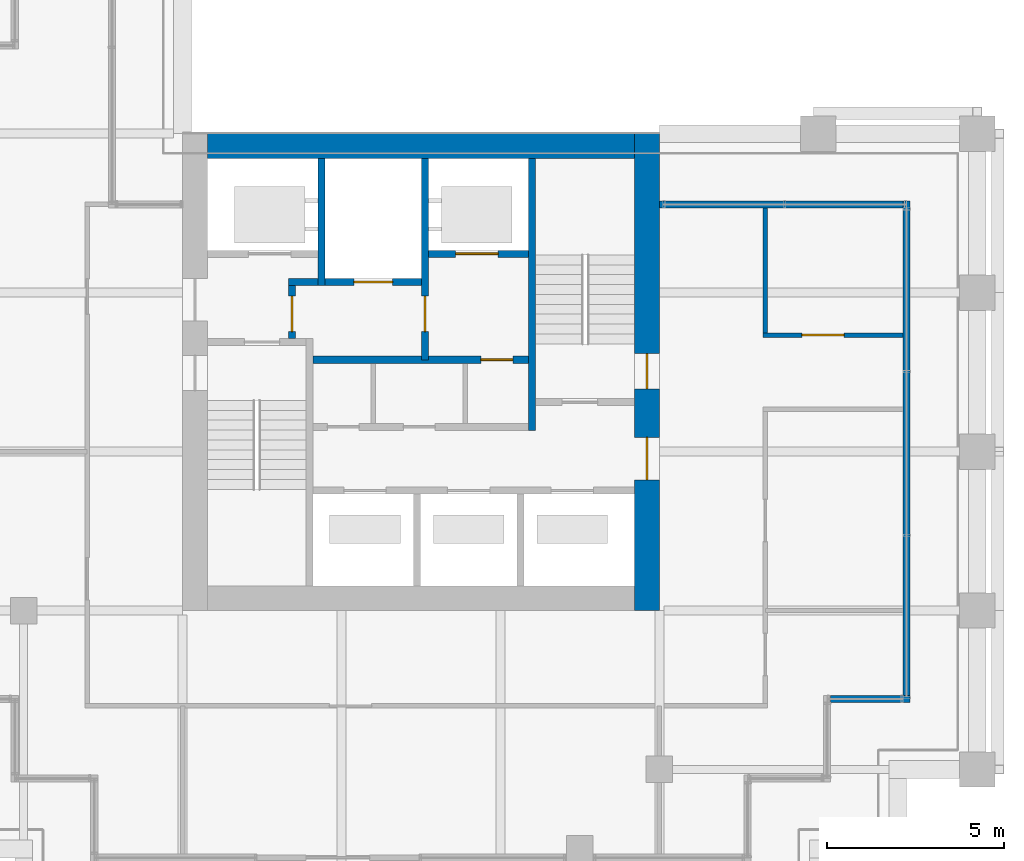
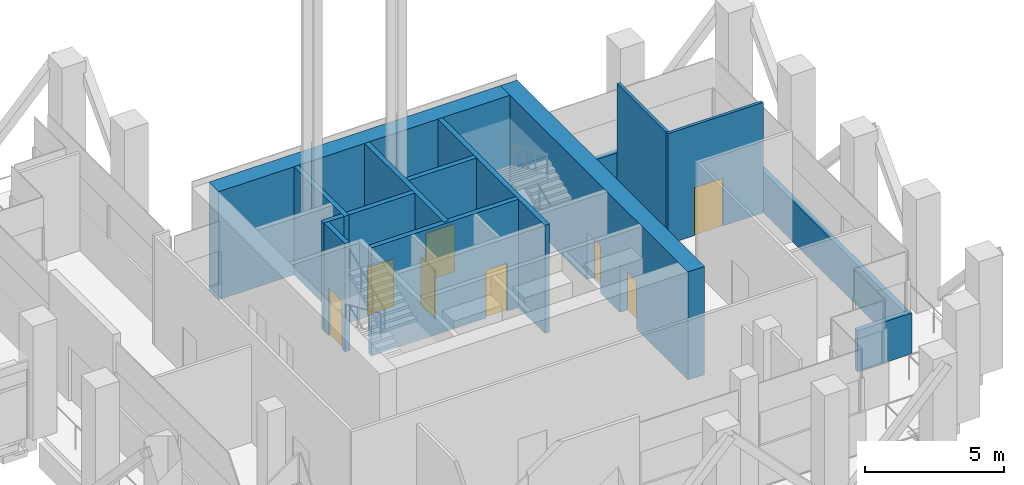
# One storey, part 36 of 48: 15 walls, 8 doors, 8 openings.
"""IFC4 building model written with IfcOpenShell, lengths in metres."""

from ifc_helpers import new_model, si_unit, direction, frame, frame_2d, origin, place, context, subcontext, project, spatial, rectangle, extrude, material, layer, layer_set, type_object, element, fill, save


model = new_model("IFC4")

# Units and contexts
model_context = context("Model", 3, precision=1e-05, world=origin(), true_north=direction((0.0, 1.0)))
body_context = subcontext(model_context, "Body", "Model", "MODEL_VIEW")
ifc_project = project(units=[si_unit("LENGTHUNIT", "METRE"), si_unit("AREAUNIT", "SQUARE_METRE"), si_unit("VOLUMEUNIT", "CUBIC_METRE"), si_unit("PLANEANGLEUNIT", "RADIAN"), si_unit("MASSUNIT", "GRAM", prefix="KILO")], contexts=[model_context])

# Site, building, storey
site_placement = place(None, origin())
site = spatial("IfcSite", under=ifc_project, at=site_placement, CompositionType="ELEMENT")
building_placement = place(site_placement, origin())
building = spatial("IfcBuilding", under=site, at=building_placement, Name="Altepetl Exchange Towers", CompositionType="ELEMENT")
storey_placement = place(building_placement, frame((0.0, 0.0, 138.800048828125)))
storey = spatial("IfcBuildingStorey", under=building, at=storey_placement, Name="L34 Refuge and sky lobby", CompositionType="ELEMENT", Elevation=138.800048828125)

# Wall, openings, doors
ifc_material_1 = material(Name="Concrete C70/85", Category="concrete")
ifc_layer_1 = layer(ifc_material_1, 0.699951171875)
ifc_layer_set_1 = layer_set([ifc_layer_1], Name="Concrete C70/85")
wall_type_1 = type_object("IfcWallType", Name="Core wall 700 reinforced concrete", PredefinedType="SHEAR", material=ifc_layer_set_1)
wall_1_placement = place(storey_placement, frame((116.64990234375, 36.0, 0.0), z_axis=(0.0, 0.0, 1.0), x_axis=(0.0, 1.0, 0.0)))
wall_1 = element("IfcWall", 1, at=wall_1_placement, inside=storey, type_object=wall_type_1, Name="wall:B:L34:K-coreE", PredefinedType="SHEAR", context=body_context, shape_type="SweptSolid", body=[
    extrude(rectangle(XDim=13.5, YDim=0.699951171875, at=frame_2d((6.75, 0.0))), origin(), (0.0, 0.0, 1.0), 4.75),
])
opening_1_placement = place(wall_1_placement, frame((3.699951171875, 0.0, 0.0)))
opening_1 = element("IfcOpeningElement", 2, at=opening_1_placement, cuts=wall_1, Name="Opening L34.B61", PredefinedType="OPENING", context=body_context, shape_type="SweptSolid", body=[
    extrude(rectangle(XDim=1.199951171875, YDim=2.10009765625, at=frame_2d((0.60009765625, 1.050048828125))), frame((0.0, 0.35986328125, 0.0), z_axis=(0.0, -1.0, 0.0), x_axis=(1.0, 0.0, 0.0)), (0.0, 0.0, 1.0), 0.719970703125),
])
opening_2_placement = place(wall_1_placement, frame((6.27490234375, 0.0, 0.0)))
opening_2 = element("IfcOpeningElement", 3, at=opening_2_placement, cuts=wall_1, Name="Opening L34.B65", PredefinedType="OPENING", context=body_context, shape_type="SweptSolid", body=[
    extrude(rectangle(XDim=1.0, YDim=2.10009765625, at=frame_2d((0.5, 1.050048828125))), frame((0.0, 0.35986328125, 0.0), z_axis=(0.0, -1.0, 0.0), x_axis=(1.0, 0.0, 0.0)), (0.0, 0.0, 1.0), 0.719970703125),
])
ifc_material_2 = material(Name="Steel and timber fire door", Category="steel")
door_type_1 = type_object("IfcDoorType", Name="Fire door 1000 x 2100 stair and lobby", OperationType="SINGLE_SWING_LEFT", PredefinedType="DOOR", material=ifc_material_2)
door_1_placement = place(opening_2_placement, origin())
door_1 = element("IfcDoor", 4, at=door_1_placement, inside=storey, type_object=door_type_1, Name="door:B:L34:K-dS2x", OperationType="SINGLE_SWING_LEFT", OverallHeight=2.10009765625, OverallWidth=1.0, PredefinedType="DOOR", context=body_context, shape_type="SweptSolid", body=[
    extrude(rectangle(XDim=1.0, YDim=2.10009765625, at=frame_2d((0.5, 1.050048828125))), frame((0.0, 0.02490234375, 0.0), z_axis=(0.0, -1.0, 0.0), x_axis=(1.0, 0.0, 0.0)), (0.0, 0.0, 1.0), 0.050048828125),
])
fill(opening_2, door_1)
door_type_2 = type_object("IfcDoorType", Name="Fire door 1200 x 2100 lobby entry", OperationType="SINGLE_SWING_LEFT", PredefinedType="DOOR", material=ifc_material_2)
door_2_placement = place(opening_1_placement, origin())
door_2 = element("IfcDoor", 5, at=door_2_placement, inside=storey, type_object=door_type_2, Name="door:B:L34:K-dLSE", OperationType="SINGLE_SWING_RIGHT", OverallHeight=2.10009765625, OverallWidth=1.199951171875, PredefinedType="DOOR", context=body_context, shape_type="SweptSolid", body=[
    extrude(rectangle(XDim=1.199951171875, YDim=2.10009765625, at=frame_2d((0.60009765625, 1.050048828125))), frame((0.0, 0.02490234375, 0.0), z_axis=(0.0, -1.0, 0.0), x_axis=(1.0, 0.0, 0.0)), (0.0, 0.0, 1.0), 0.050048828125),
])
fill(opening_1, door_2)

# Walls
ifc_layer_2 = layer(ifc_material_1, 0.699951171875)
ifc_layer_set_2 = layer_set([ifc_layer_2], Name="Concrete C70/85")
wall_type_2 = type_object("IfcWallType", Name="Core wall 700 reinforced concrete external", PredefinedType="SHEAR", material=ifc_layer_set_2)
wall_2_placement = place(storey_placement, frame((104.199951171875, 49.14990234375, 0.0)))
element("IfcWall", 6, at=wall_2_placement, inside=storey, type_object=wall_type_2, Name="wall:B:L34:K-coreN", PredefinedType="SHEAR", context=body_context, shape_type="SweptSolid", body=[
    extrude(rectangle(XDim=12.10009765625, YDim=0.699951171875, at=frame_2d((6.050048828125, 0.0))), origin(), (0.0, 0.0, 1.0), 4.75),
])
ifc_material_3 = material(Name="Concrete blockwork", Category="masonry")
ifc_layer_3 = layer(ifc_material_3, 0.199951171875)
ifc_layer_set_3 = layer_set([ifc_layer_3], Name="Concrete blockwork")
wall_type_3 = type_object("IfcWallType", Name="Lobby wall 200 blockwork", PredefinedType="PARTITIONING", material=ifc_layer_set_3)
wall_3_placement = place(storey_placement, frame((106.5, 45.300048828125, 0.0)))
element("IfcWall", 7, at=wall_3_placement, inside=storey, type_object=wall_type_3, Name="wall:B:L34:K-ffNw", PredefinedType="PARTITIONING", context=body_context, shape_type="SweptSolid", body=[
    extrude(rectangle(XDim=0.833251953125, YDim=0.199951171875, at=frame_2d((0.41650390625, 0.0))), origin(), (0.0, 0.0, 1.0), 4.75),
])

# Wall, opening, door
wall_4_placement = place(storey_placement, frame((106.60009765625, 43.699951171875, 0.0), z_axis=(0.0, 0.0, 1.0), x_axis=(0.0, 1.0, 0.0)))
wall_4 = element("IfcWall", 8, at=wall_4_placement, inside=storey, type_object=wall_type_3, Name="wall:B:L34:K-ffW", PredefinedType="PARTITIONING", context=body_context, shape_type="SweptSolid", body=[
    extrude(rectangle(XDim=1.5, YDim=0.199951171875, at=frame_2d((0.75, 0.0))), origin(), (0.0, 0.0, 1.0), 4.75),
])
opening_3_placement = place(wall_4_placement, frame((0.199951171875, 0.0, 0.0)))
opening_3 = element("IfcOpeningElement", 9, at=opening_3_placement, cuts=wall_4, Name="Opening L34.B67", PredefinedType="OPENING", context=body_context, shape_type="SweptSolid", body=[
    extrude(rectangle(XDim=1.0, YDim=2.10009765625, at=frame_2d((0.5, 1.050048828125))), frame((0.0, 0.10986328125, 0.0), z_axis=(0.0, -1.0, 0.0), x_axis=(1.0, 0.0, 0.0)), (0.0, 0.0, 1.0), 0.219970703125),
])
door_3_placement = place(opening_3_placement, frame((1.0, 0.0, 0.0), x_axis=(-1.0, 0.0, 0.0)))
door_3 = element("IfcDoor", 10, at=door_3_placement, inside=storey, type_object=door_type_1, Name="door:B:L34:K-dffW", OperationType="SINGLE_SWING_LEFT", OverallHeight=2.10009765625, OverallWidth=1.0, PredefinedType="DOOR", context=body_context, shape_type="SweptSolid", body=[
    extrude(rectangle(XDim=1.0, YDim=2.10009765625, at=frame_2d((0.5, 1.050048828125))), frame((0.0, 0.02490234375, 0.0), z_axis=(0.0, -1.0, 0.0), x_axis=(1.0, 0.0, 0.0)), (0.0, 0.0, 1.0), 0.050048828125),
])
fill(opening_3, door_3)

wall_5_placement = place(storey_placement, frame((107.199951171875, 43.10009765625, 0.0)))
wall_5 = element("IfcWall", 11, at=wall_5_placement, inside=storey, type_object=wall_type_3, Name="wall:B:L34:K-zoneN", PredefinedType="PARTITIONING", context=body_context, shape_type="SweptSolid", body=[
    extrude(rectangle(XDim=6.10009765625, YDim=0.199951171875, at=frame_2d((3.050048828125, 0.0))), origin(), (0.0, 0.0, 1.0), 4.75),
])
opening_4_placement = place(wall_5_placement, frame((4.75, 0.0, 0.0)))
opening_4 = element("IfcOpeningElement", 12, at=opening_4_placement, cuts=wall_5, Name="Opening L34.B70", PredefinedType="OPENING", context=body_context, shape_type="SweptSolid", body=[
    extrude(rectangle(XDim=0.89990234375, YDim=2.10009765625, at=frame_2d((0.449951171875, 1.050048828125))), frame((0.0, 0.10986328125, 0.0), z_axis=(0.0, -1.0, 0.0), x_axis=(1.0, 0.0, 0.0)), (0.0, 0.0, 1.0), 0.219970703125),
])
door_type_3 = type_object("IfcDoorType", Name="Fire door 900 x 2100 service room", OperationType="SINGLE_SWING_LEFT", PredefinedType="DOOR", material=ifc_material_2)
door_4_placement = place(opening_4_placement, frame((0.89990234375, 0.0, 0.0), x_axis=(-1.0, 0.0, 0.0)))
door_4 = element("IfcDoor", 13, at=door_4_placement, inside=storey, type_object=door_type_3, Name="door:B:L34:K-dz3", OperationType="SINGLE_SWING_RIGHT", OverallHeight=2.10009765625, OverallWidth=0.89990234375, PredefinedType="DOOR", context=body_context, shape_type="SweptSolid", body=[
    extrude(rectangle(XDim=0.89990234375, YDim=2.10009765625, at=frame_2d((0.449951171875, 1.050048828125))), frame((0.0, 0.02490234375, 0.0), z_axis=(0.0, -1.0, 0.0), x_axis=(1.0, 0.0, 0.0)), (0.0, 0.0, 1.0), 0.050048828125),
])
fill(opening_4, door_4)

ifc_material_4 = material(Name="Gypsum board on steel studs", Category="steel")
ifc_layer_4 = layer(ifc_material_4, 0.125)
ifc_layer_set_4 = layer_set([ifc_layer_4], Name="Gypsum board on steel studs")
wall_type_4 = type_object("IfcWallType", Name="Partition 125 gypsum board on steel studs", PredefinedType="PARTITIONING", material=ifc_layer_set_4)
wall_6_placement = place(storey_placement, frame((119.9375, 43.800048828125, 0.0)))
wall_6 = element("IfcWall", 14, at=wall_6_placement, inside=storey, type_object=wall_type_4, Name="wall:B:L34:P05", PredefinedType="PARTITIONING", context=body_context, shape_type="SweptSolid", body=[
    extrude(rectangle(XDim=3.96240234375, YDim=0.125, at=frame_2d((1.981201171875, 0.0))), origin(), (0.0, 0.0, 1.0), 4.849853515625),
])
opening_5_placement = place(wall_6_placement, frame((1.097412109375, 0.0, 0.0)))
opening_5 = element("IfcOpeningElement", 15, at=opening_5_placement, cuts=wall_6, Name="Opening L34.B05", PredefinedType="OPENING", context=body_context, shape_type="SweptSolid", body=[
    extrude(rectangle(XDim=1.199951171875, YDim=2.10009765625, at=frame_2d((0.60009765625, 1.050048828125))), frame((0.0, 0.072509765625, 0.0), z_axis=(0.0, -1.0, 0.0), x_axis=(1.0, 0.0, 0.0)), (0.0, 0.0, 1.0), 0.14501953125),
])
door_type_4 = type_object("IfcDoorType", Name="Fire door 1200 x 2100 plant and refuge", OperationType="SINGLE_SWING_LEFT", PredefinedType="DOOR", material=ifc_material_2)
door_5_placement = place(opening_5_placement, origin())
door_5 = element("IfcDoor", 16, at=door_5_placement, inside=storey, type_object=door_type_4, Name="door:B:L34:05", OperationType="SINGLE_SWING_RIGHT", OverallHeight=2.10009765625, OverallWidth=1.199951171875, PredefinedType="DOOR", context=body_context, shape_type="SweptSolid", body=[
    extrude(rectangle(XDim=1.199951171875, YDim=2.10009765625, at=frame_2d((0.60009765625, 1.050048828125))), frame((0.0, 0.02490234375, 0.0), z_axis=(0.0, -1.0, 0.0), x_axis=(1.0, 0.0, 0.0)), (0.0, 0.0, 1.0), 0.050048828125),
])
fill(opening_5, door_5)

# Walls
wall_7_placement = place(storey_placement, frame((120.0, 43.862548828125, 0.0), z_axis=(0.0, 0.0, 1.0), x_axis=(0.0, 1.0, 0.0)))
element("IfcWall", 17, at=wall_7_placement, inside=storey, type_object=wall_type_4, Name="wall:B:L34:P13", PredefinedType="PARTITIONING", context=body_context, shape_type="SweptSolid", body=[
    extrude(rectangle(XDim=3.537353515625, YDim=0.125, at=frame_2d((1.7685546875, 0.0))), origin(), (0.0, 0.0, 1.0), 4.849853515625),
])
ifc_material_5 = material(Name="Cantera limestone cladding", Category="masonry")
ifc_layer_5 = layer(ifc_material_5, 0.199951171875)
ifc_layer_set_5 = layer_set([ifc_layer_5], Name="Cantera limestone cladding")
wall_type_5 = type_object("IfcWallType", Name="Refuge stone wall 200", PredefinedType="ELEMENTEDWALL", material=ifc_layer_set_5)
wall_8_placement = place(storey_placement, frame((121.85009765625, 33.5, 0.0)))
element("IfcWall", 18, at=wall_8_placement, inside=storey, type_object=wall_type_5, Name="Refuge stone wall", PredefinedType="ELEMENTEDWALL", context=body_context, shape_type="SweptSolid", body=[
    extrude(rectangle(XDim=2.25, YDim=0.199951171875, at=frame_2d((1.125, 0.0))), origin(), (0.0, 0.0, 1.0), 1.800048828125),
])
wall_9_placement = place(storey_placement, frame((124.0, 33.60009765625, 0.0), z_axis=(0.0, 0.0, 1.0), x_axis=(0.0, 1.0, 0.0)))
element("IfcWall", 19, at=wall_9_placement, inside=storey, type_object=wall_type_5, Name="Refuge stone wall", PredefinedType="ELEMENTEDWALL", context=body_context, shape_type="SweptSolid", body=[
    extrude(rectangle(XDim=14.0, YDim=0.199951171875, at=frame_2d((7.0, 0.0))), origin(), (0.0, 0.0, 1.0), 1.800048828125),
])
wall_10_placement = place(storey_placement, frame((123.89990234375, 47.5, 0.0), z_axis=(0.0, 0.0, 1.0), x_axis=(-1.0, 0.0, 0.0)))
element("IfcWall", 20, at=wall_10_placement, inside=storey, type_object=wall_type_5, Name="Refuge stone wall", PredefinedType="ELEMENTEDWALL", context=body_context, shape_type="SweptSolid", body=[
    extrude(rectangle(XDim=6.89990234375, YDim=0.199951171875, at=frame_2d((3.449951171875, 0.0))), origin(), (0.0, 0.0, 1.0), 1.800048828125),
])
ifc_material_6 = material(Name="Concrete C40/50", Category="concrete")
ifc_layer_6 = layer(ifc_material_6, 0.199951171875)
ifc_layer_set_6 = layer_set([ifc_layer_6], Name="Concrete C40/50")
wall_type_6 = type_object("IfcWallType", Name="Shaft wall 200 reinforced concrete", PredefinedType="SHEAR", material=ifc_layer_set_6)
wall_11_placement = place(storey_placement, frame((107.433349609375, 48.800048828125, 0.0), z_axis=(0.0, 0.0, 1.0), x_axis=(0.0, -1.0, 0.0)))
element("IfcWall", 21, at=wall_11_placement, inside=storey, type_object=wall_type_6, Name="wall:B:L34:K-divN1", PredefinedType="SHEAR", context=body_context, shape_type="SweptSolid", body=[
    extrude(rectangle(XDim=3.60009765625, YDim=0.199951171875, at=frame_2d((1.800048828125, 0.0))), origin(), (0.0, 0.0, 1.0), 4.75),
])

# Wall, opening, door
wall_12_placement = place(storey_placement, frame((110.36669921875, 48.800048828125, 0.0), z_axis=(0.0, 0.0, 1.0), x_axis=(0.0, -1.0, 0.0)))
wall_12 = element("IfcWall", 22, at=wall_12_placement, inside=storey, type_object=wall_type_6, Name="wall:B:L34:K-divN2", PredefinedType="SHEAR", context=body_context, shape_type="SweptSolid", body=[
    extrude(rectangle(XDim=5.699951171875, YDim=0.199951171875, at=frame_2d((2.85009765625, 0.0))), origin(), (0.0, 0.0, 1.0), 4.75),
])
opening_6_placement = place(wall_12_placement, frame((3.89990234375, 0.0, 0.0)))
opening_6 = element("IfcOpeningElement", 23, at=opening_6_placement, cuts=wall_12, Name="Opening L34.B66", PredefinedType="OPENING", context=body_context, shape_type="SweptSolid", body=[
    extrude(rectangle(XDim=1.0, YDim=2.10009765625, at=frame_2d((0.5, 1.050048828125))), frame((0.0, 0.10986328125, 0.0), z_axis=(0.0, -1.0, 0.0), x_axis=(1.0, 0.0, 0.0)), (0.0, 0.0, 1.0), 0.219970703125),
])
door_6_placement = place(opening_6_placement, frame((1.0, 0.0, 0.0), x_axis=(-1.0, 0.0, 0.0)))
door_6 = element("IfcDoor", 24, at=door_6_placement, inside=storey, type_object=door_type_1, Name="door:B:L34:K-dffE", OperationType="SINGLE_SWING_RIGHT", OverallHeight=2.10009765625, OverallWidth=1.0, PredefinedType="DOOR", context=body_context, shape_type="SweptSolid", body=[
    extrude(rectangle(XDim=1.0, YDim=2.10009765625, at=frame_2d((0.5, 1.050048828125))), frame((0.0, 0.02490234375, 0.0), z_axis=(0.0, -1.0, 0.0), x_axis=(1.0, 0.0, 0.0)), (0.0, 0.0, 1.0), 0.050048828125),
])
fill(opening_6, door_6)

wall_13_placement = place(storey_placement, frame((110.466796875, 46.10009765625, 0.0)))
wall_13 = element("IfcWall", 25, at=wall_13_placement, inside=storey, type_object=wall_type_6, Name="wall:B:L34:K-frontNb", PredefinedType="SHEAR", context=body_context, shape_type="SweptSolid", body=[
    extrude(rectangle(XDim=2.833251953125, YDim=0.199951171875, at=frame_2d((1.41650390625, 0.0))), origin(), (0.0, 0.0, 1.0), 4.75),
])
opening_7_placement = place(wall_13_placement, frame((0.7666015625, 0.0, 0.0)))
opening_7 = element("IfcOpeningElement", 26, at=opening_7_placement, cuts=wall_13, Name="Opening L34.B76", PredefinedType="OPENING", context=body_context, shape_type="SweptSolid", body=[
    extrude(rectangle(XDim=1.199951171875, YDim=2.10009765625, at=frame_2d((0.60009765625, 1.050048828125))), frame((0.0, 0.10986328125, 0.0), z_axis=(0.0, -1.0, 0.0), x_axis=(1.0, 0.0, 0.0)), (0.0, 0.0, 1.0), 0.219970703125),
])
ifc_material_7 = material(Name="Stainless steel", Category="steel")
door_type_5 = type_object("IfcDoorType", Name="Lift landing door 1200 x 2100", OperationType="SLIDING_TO_LEFT", PredefinedType="DOOR", material=ifc_material_7)
door_7_placement = place(opening_7_placement, origin())
door_7 = element("IfcDoor", 27, at=door_7_placement, inside=storey, type_object=door_type_5, Name="Landing door P5", OperationType="SLIDING_TO_LEFT", OverallHeight=2.10009765625, OverallWidth=1.199951171875, PredefinedType="DOOR", context=body_context, shape_type="SweptSolid", body=[
    extrude(rectangle(XDim=1.199951171875, YDim=2.10009765625, at=frame_2d((0.60009765625, 1.050048828125))), frame((0.0, 0.02490234375, 0.0), z_axis=(0.0, -1.0, 0.0), x_axis=(1.0, 0.0, 0.0)), (0.0, 0.0, 1.0), 0.050048828125),
])
fill(opening_7, door_7)

wall_14_placement = place(storey_placement, frame((107.533203125, 45.300048828125, 0.0)))
wall_14 = element("IfcWall", 28, at=wall_14_placement, inside=storey, type_object=wall_type_6, Name="wall:B:L34:K-frontNd", PredefinedType="SHEAR", context=body_context, shape_type="SweptSolid", body=[
    extrude(rectangle(XDim=2.7333984375, YDim=0.199951171875, at=frame_2d((1.36669921875, 0.0))), origin(), (0.0, 0.0, 1.0), 4.75),
])
opening_8_placement = place(wall_14_placement, frame((0.816650390625, 0.0, 0.0)))
opening_8 = element("IfcOpeningElement", 29, at=opening_8_placement, cuts=wall_14, Name="Opening L34.B71", PredefinedType="OPENING", context=body_context, shape_type="SweptSolid", body=[
    extrude(rectangle(XDim=1.10009765625, YDim=2.10009765625, at=frame_2d((0.550048828125, 1.050048828125))), frame((0.0, 0.10986328125, 0.0), z_axis=(0.0, -1.0, 0.0), x_axis=(1.0, 0.0, 0.0)), (0.0, 0.0, 1.0), 0.219970703125),
])
door_type_6 = type_object("IfcDoorType", Name="Lift landing door 1100 x 2100", OperationType="SLIDING_TO_LEFT", PredefinedType="DOOR", material=ifc_material_7)
door_8_placement = place(opening_8_placement, origin())
door_8 = element("IfcDoor", 30, at=door_8_placement, inside=storey, type_object=door_type_6, Name="Landing door FFL1", OperationType="SLIDING_TO_LEFT", OverallHeight=2.10009765625, OverallWidth=1.10009765625, PredefinedType="DOOR", context=body_context, shape_type="SweptSolid", body=[
    extrude(rectangle(XDim=1.10009765625, YDim=2.10009765625, at=frame_2d((0.550048828125, 1.050048828125))), frame((0.0, 0.02490234375, 0.0), z_axis=(0.0, -1.0, 0.0), x_axis=(1.0, 0.0, 0.0)), (0.0, 0.0, 1.0), 0.050048828125),
])
fill(opening_8, door_8)

# Wall
ifc_layer_7 = layer(ifc_material_6, 0.199951171875)
ifc_layer_set_7 = layer_set([ifc_layer_7], Name="Concrete C40/50")
wall_type_7 = type_object("IfcWallType", Name="Stair wall 200 reinforced concrete", PredefinedType="SHEAR", material=ifc_layer_set_7)
wall_15_placement = place(storey_placement, frame((113.39990234375, 41.10009765625, 0.0), z_axis=(0.0, 0.0, 1.0), x_axis=(0.0, 1.0, 0.0)))
element("IfcWall", 31, at=wall_15_placement, inside=storey, type_object=wall_type_7, Name="wall:B:L34:K-stS2W", PredefinedType="SHEAR", context=body_context, shape_type="SweptSolid", body=[
    extrude(rectangle(XDim=7.699951171875, YDim=0.199951171875, at=frame_2d((3.85009765625, 0.0))), origin(), (0.0, 0.0, 1.0), 4.75),
])

save(model, "model.ifc")
